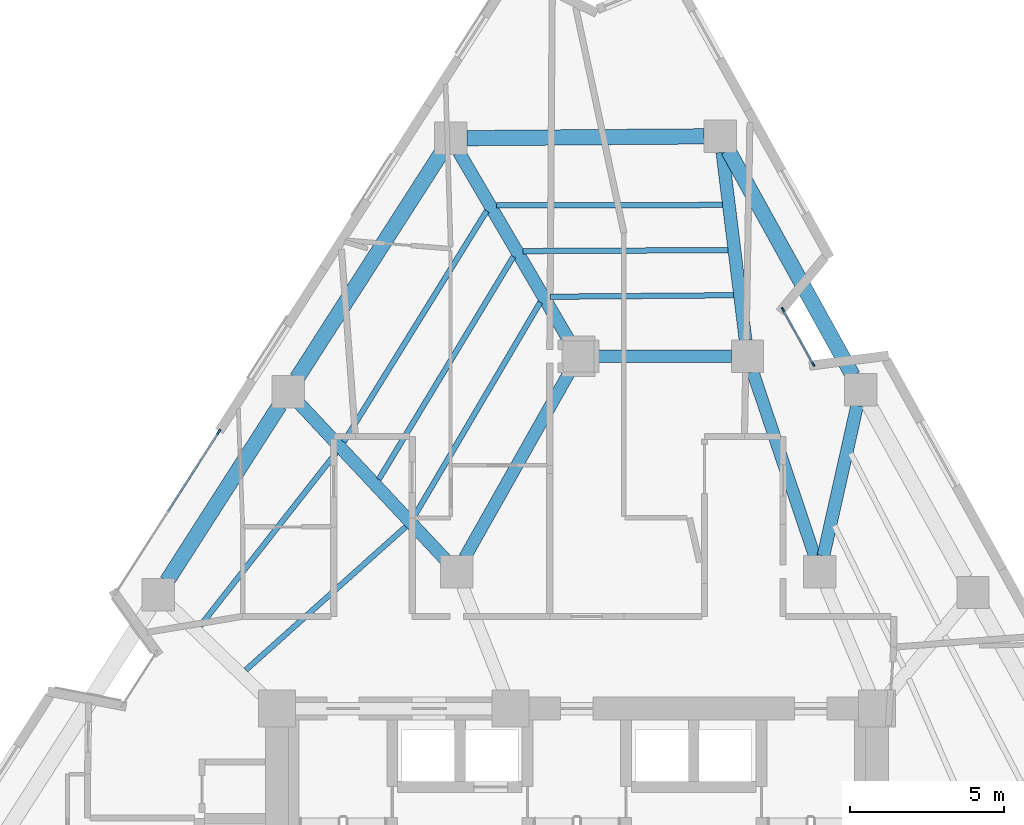
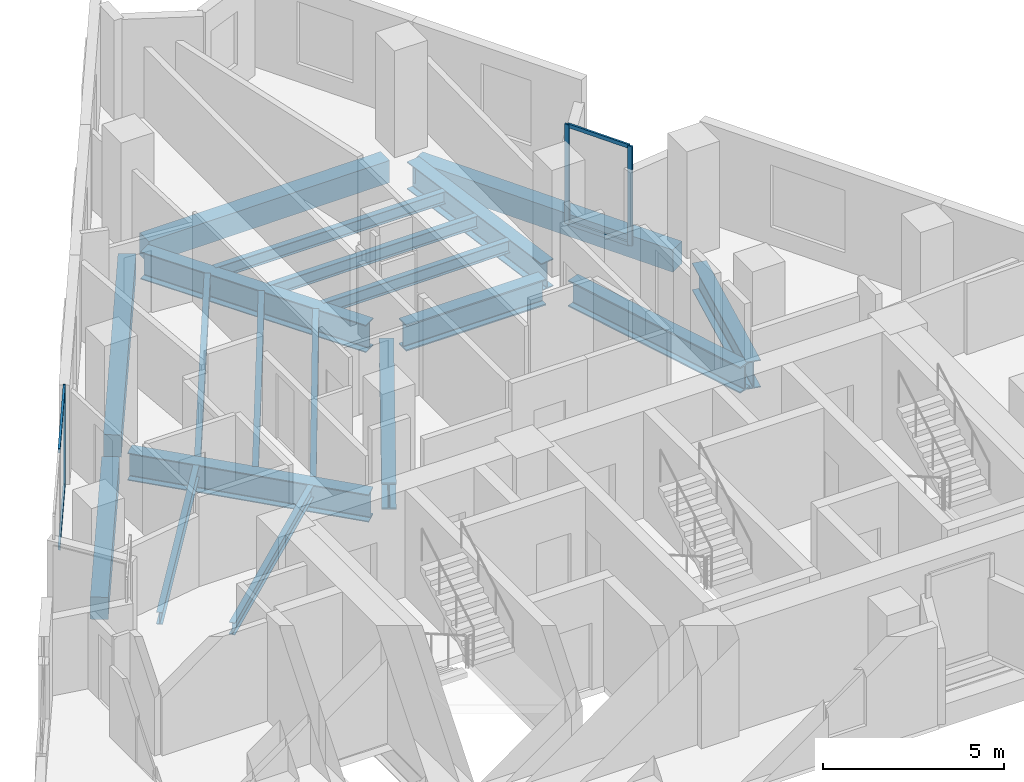
# One storey, part 3 of 11: 19 beams, 7 members, 2 elements without a shape of their own.
"""IFC4 building model written with IfcOpenShell, lengths in metres."""

from ifc_helpers import new_model, si_unit, direction, frame, origin, origin_2d, place, context, subcontext, project, spatial, rectangle, i_section, extrude, material, layer, layer_set, material_profile, profile_set, type_object, element, aggregate, save


model = new_model("IFC4")

# Units and contexts
model_context = context("Model", 3, precision=1e-05, world=origin(), true_north=direction((0.0, 1.0)))
body_context = subcontext(model_context, "Body", "Model", "MODEL_VIEW")
ifc_project = project(units=[si_unit("LENGTHUNIT", "METRE"), si_unit("AREAUNIT", "SQUARE_METRE"), si_unit("VOLUMEUNIT", "CUBIC_METRE"), si_unit("PLANEANGLEUNIT", "RADIAN"), si_unit("MASSUNIT", "GRAM", prefix="KILO")], contexts=[model_context])

# Site, building, storey
site_placement = place(None, origin())
site = spatial("IfcSite", under=ifc_project, at=site_placement, CompositionType="ELEMENT")
building_placement = place(site_placement, origin())
building = spatial("IfcBuilding", under=site, at=building_placement, Name="Almagre Mirador Tower", CompositionType="ELEMENT")
storey_placement = place(building_placement, frame((0.0, 0.0, 157.199951171875)))
storey = spatial("IfcBuildingStorey", under=building, at=storey_placement, Name="L40", CompositionType="ELEMENT", Elevation=157.199951171875)

# Beams
ifc_material_1 = material(Name="Steel ASTM A992 Grade 50", Category="steel")
ifc_material_profile_1 = material_profile(ifc_material_1, i_section(OverallWidth=0.178955078125, OverallDepth=0.408935546875, WebThickness=0.0087890625, FlangeThickness=0.014404296875, FilletRadius=0.013916015625, at=origin_2d()), Name="W16X45")
ifc_profile_set_1 = profile_set([ifc_material_profile_1], Name="Steel ASTM A992 Grade 50")
beam_type_1 = type_object("IfcBeamType", Name="BM-JST-W16X45", PredefinedType="JOIST", material=ifc_profile_set_1)
beam_1_placement = place(storey_placement, frame((42.032958984375, 31.121826171875, -0.454345703125), z_axis=(-0.999997444767, -0.002260632521, 0.0), x_axis=(0.002260632521, -0.999997444767, 0.0)))
element("IfcBeam", 1, at=beam_1_placement, inside=storey, type_object=beam_type_1, Name="L40 secondary floor joist PC08-PC09.1", PredefinedType="JOIST", context=body_context, shape_type="SweptSolid", body=[
    extrude(i_section(OverallWidth=0.178955078125, OverallDepth=0.408935546875, WebThickness=0.0087890625, FlangeThickness=0.014404296875, FilletRadius=0.013916015625, at=origin_2d()), origin(), (0.0, 0.0, 1.0), 7.34375),
])
beam_2_placement = place(storey_placement, frame((42.214111328125, 29.654296875, -0.454345703125), z_axis=(-0.999988103405, -0.004877811845, 0.0), x_axis=(0.004877811845, -0.999988103405, 0.0)))
element("IfcBeam", 2, at=beam_2_placement, inside=storey, type_object=beam_type_1, Name="L40 secondary floor joist PC08-PC09.2", PredefinedType="JOIST", context=body_context, shape_type="SweptSolid", body=[
    extrude(i_section(OverallWidth=0.178955078125, OverallDepth=0.408935546875, WebThickness=0.0087890625, FlangeThickness=0.014404296875, FilletRadius=0.013916015625, at=origin_2d()), origin(), (0.0, 0.0, 1.0), 6.65673828125),
])
beam_3_placement = place(storey_placement, frame((42.3955078125, 28.186279296875, -0.454345703125), z_axis=(-0.999968205338, -0.007974228113, 0.0), x_axis=(0.007974228113, -0.999968205338, 0.0)))
element("IfcBeam", 3, at=beam_3_placement, inside=storey, type_object=beam_type_1, Name="L40 secondary floor joist PC08-PC09.3", PredefinedType="JOIST", context=body_context, shape_type="SweptSolid", body=[
    extrude(i_section(OverallWidth=0.178955078125, OverallDepth=0.408935546875, WebThickness=0.0087890625, FlangeThickness=0.014404296875, FilletRadius=0.013916015625, at=origin_2d()), origin(), (0.0, 0.0, 1.0), 5.97021484375),
])
beam_4_placement = place(storey_placement, frame((34.3701171875, 30.927001953125, -0.454345703125), z_axis=(-0.526297490508, -0.850300506577, 0.0), x_axis=(0.850300506577, -0.526297490508, 0.0)))
element("IfcBeam", 4, at=beam_4_placement, inside=storey, type_object=beam_type_1, Name="L40 secondary floor joist PC09-PC10.1", PredefinedType="JOIST", context=body_context, shape_type="SweptSolid", body=[
    extrude(i_section(OverallWidth=0.178955078125, OverallDepth=0.408935546875, WebThickness=0.0087890625, FlangeThickness=0.014404296875, FilletRadius=0.013916015625, at=origin_2d()), origin(), (0.0, 0.0, 1.0), 8.828125),
])
beam_5_placement = place(storey_placement, frame((35.240234375, 29.44189453125, -0.454345703125), z_axis=(-0.5172600995, -0.855828247644, 0.0), x_axis=(0.855828247644, -0.5172600995, 0.0)))
element("IfcBeam", 5, at=beam_5_placement, inside=storey, type_object=beam_type_1, Name="L40 secondary floor joist PC09-PC10.2", PredefinedType="JOIST", context=body_context, shape_type="SweptSolid", body=[
    extrude(i_section(OverallWidth=0.178955078125, OverallDepth=0.408935546875, WebThickness=0.0087890625, FlangeThickness=0.014404296875, FilletRadius=0.013916015625, at=origin_2d()), origin(), (0.0, 0.0, 1.0), 8.4599609375),
])
beam_6_placement = place(storey_placement, frame((36.110595703125, 27.956787109375, -0.454345703125), z_axis=(-0.507370781605, -0.861727851455, 0.0), x_axis=(0.861727851455, -0.507370781605, 0.0)))
element("IfcBeam", 6, at=beam_6_placement, inside=storey, type_object=beam_type_1, Name="L40 secondary floor joist PC09-PC10.3", PredefinedType="JOIST", context=body_context, shape_type="SweptSolid", body=[
    extrude(i_section(OverallWidth=0.178955078125, OverallDepth=0.408935546875, WebThickness=0.0087890625, FlangeThickness=0.014404296875, FilletRadius=0.013916015625, at=origin_2d()), origin(), (0.0, 0.0, 1.0), 8.092529296875),
])
beam_7_placement = place(storey_placement, frame((29.484619140625, 23.078369140625, -0.454345703125), z_axis=(-0.617460619368, -0.786601794766, 0.0), x_axis=(0.786601794766, -0.617460619368, 0.0)))
element("IfcBeam", 7, at=beam_7_placement, inside=storey, type_object=beam_type_1, Name="L40 secondary floor joist PC10-PC11.1", PredefinedType="JOIST", context=body_context, shape_type="SweptSolid", body=[
    extrude(i_section(OverallWidth=0.178955078125, OverallDepth=0.408935546875, WebThickness=0.0087890625, FlangeThickness=0.014404296875, FilletRadius=0.013916015625, at=origin_2d()), origin(), (0.0, 0.0, 1.0), 7.1708984375),
])
beam_8_placement = place(storey_placement, frame((31.742919921875, 20.66357421875, -0.454345703125), z_axis=(-0.744984176827, -0.66708213608, 0.0), x_axis=(0.66708213608, -0.744984176827, 0.0)))
element("IfcBeam", 8, at=beam_8_placement, inside=storey, type_object=beam_type_1, Name="L40 secondary floor joist PC10-PC11.3", PredefinedType="JOIST", context=body_context, shape_type="SweptSolid", body=[
    extrude(i_section(OverallWidth=0.178955078125, OverallDepth=0.408935546875, WebThickness=0.0087890625, FlangeThickness=0.014404296875, FilletRadius=0.013916015625, at=origin_2d()), origin(), (0.0, 0.0, 1.0), 6.979248046875),
])
ifc_material_2 = material(Name="Precast concrete C50/60", Category="concrete")
ifc_material_profile_2 = material_profile(ifc_material_2, rectangle(XDim=0.5, YDim=0.75, at=origin_2d()), Name="RC500X750")
ifc_profile_set_2 = profile_set([ifc_material_profile_2], Name="Precast concrete C50/60")
beam_type_2 = type_object("IfcBeamType", Name="BM-SPN-RC500X750", PredefinedType="SPANDREL", material=ifc_profile_set_2)
beam_9_placement = place(storey_placement, frame((46.271728515625, 25.574462890625, -0.625), z_axis=(-0.484205406649, 0.874954355479, 0.0), x_axis=(-0.874954355479, -0.484205406649, 0.0)))
element("IfcBeam", 9, at=beam_9_placement, inside=storey, type_object=beam_type_2, Name="L40 perimeter spandrel beam PC07-PC08", PredefinedType="SPANDREL", context=body_context, shape_type="SweptSolid", body=[
    extrude(rectangle(XDim=0.5, YDim=0.75, at=origin_2d()), origin(), (0.0, 0.0, 1.0), 8.367431640625),
])
beam_10_placement = place(storey_placement, frame((41.44091796875, 33.35107421875, -0.625), z_axis=(-0.999971631183, -0.007532385372, 0.0), x_axis=(0.007532385372, -0.999971631183, 0.0)))
element("IfcBeam", 10, at=beam_10_placement, inside=storey, type_object=beam_type_2, Name="L40 perimeter spandrel beam PC08-PC09", PredefinedType="SPANDREL", context=body_context, shape_type="SweptSolid", body=[
    extrude(rectangle(XDim=0.5, YDim=0.75, at=origin_2d()), origin(), (0.0, 0.0, 1.0), 7.714111328125),
])
beam_11_placement = place(storey_placement, frame((32.918701171875, 32.846923828125, -0.625), z_axis=(-0.539525433851, -0.841969302426, 0.0), x_axis=(0.841969302426, -0.539525433851, 0.0)))
element("IfcBeam", 11, at=beam_11_placement, inside=storey, type_object=beam_type_2, Name="L40 perimeter spandrel beam PC09-PC10", PredefinedType="SPANDREL", context=body_context, shape_type="SweptSolid", body=[
    extrude(rectangle(XDim=0.5, YDim=0.75, at=origin_2d()), origin(), (0.0, 0.0, 1.0), 8.736572265625),
])
beam_12_placement = place(storey_placement, frame((27.638916015625, 24.60693359375, -0.625), z_axis=(-0.539533906924, -0.841963872906, 0.0), x_axis=(0.841963872906, -0.539533906924, 0.0)))
element("IfcBeam", 12, at=beam_12_placement, inside=storey, type_object=beam_type_2, Name="L40 perimeter spandrel beam PC10-PC11", PredefinedType="SPANDREL", context=body_context, shape_type="SweptSolid", body=[
    extrude(rectangle(XDim=0.5, YDim=0.75, at=origin_2d()), origin(), (0.0, 0.0, 1.0), 6.779296875),
])
ifc_material_3 = material(Name="Steel ASTM A992 Grade 50", Category="steel")
ifc_material_profile_3 = material_profile(ifc_material_3, i_section(OverallWidth=0.404052734375, OverallDepth=0.884033203125, WebThickness=0.0244140625, FlangeThickness=0.0439453125, FilletRadius=0.02490234375, at=origin_2d()), Name="W33X291")
ifc_profile_set_3 = profile_set([ifc_material_profile_3], Name="Steel ASTM A992 Grade 50")
beam_type_3 = type_object("IfcBeamType", Name="BM-STL-W33X291", PredefinedType="BEAM", material=ifc_profile_set_3)
beam_13_placement = place(storey_placement, frame((37.875, 26.199951171875, -0.69189453125), z_axis=(1.0, 0.0, 0.0), x_axis=(0.0, 1.0, 0.0)))
element("IfcBeam", 13, at=beam_13_placement, inside=storey, type_object=beam_type_3, Name="L40 core tie girder MC7-MC6", PredefinedType="BEAM", context=body_context, shape_type="SweptSolid", body=[
    extrude(i_section(OverallWidth=0.404052734375, OverallDepth=0.884033203125, WebThickness=0.0244140625, FlangeThickness=0.0439453125, FilletRadius=0.02490234375, at=origin_2d()), origin(), (0.0, 0.0, 1.0), 4.449951171875),
])
beam_14_placement = place(storey_placement, frame((43.01708984375, 25.702392578125, -0.69189453125), z_axis=(0.318262189587, -0.948002731367, 0.0), x_axis=(0.948002731367, 0.318262189587, 0.0)))
element("IfcBeam", 14, at=beam_14_placement, inside=storey, type_object=beam_type_3, Name="L40 core tie girder MC6-MC5", PredefinedType="BEAM", context=body_context, shape_type="SweptSolid", body=[
    extrude(i_section(OverallWidth=0.404052734375, OverallDepth=0.884033203125, WebThickness=0.0244140625, FlangeThickness=0.0439453125, FilletRadius=0.02490234375, at=origin_2d()), origin(), (0.0, 0.0, 1.0), 6.333984375),
])
beam_15_placement = place(storey_placement, frame((37.092041015625, 25.742919921875, -0.69189453125), z_axis=(-0.491443510044, -0.870909453638, 0.0), x_axis=(0.870909453638, -0.491443510044, 0.0)))
element("IfcBeam", 15, at=beam_15_placement, inside=storey, type_object=beam_type_3, Name="L40 core tie girder MC7-MC8", PredefinedType="BEAM", context=body_context, shape_type="SweptSolid", body=[
    extrude(i_section(OverallWidth=0.404052734375, OverallDepth=0.884033203125, WebThickness=0.0244140625, FlangeThickness=0.0439453125, FilletRadius=0.02490234375, at=origin_2d()), origin(), (0.0, 0.0, 1.0), 6.98779296875),
])
ifc_material_4 = material(Name="Steel ASTM A992 Grade 50", Category="steel")
ifc_material_profile_4 = material_profile(ifc_material_4, i_section(OverallWidth=0.41796875, OverallDepth=0.927001953125, WebThickness=0.019287109375, FlangeThickness=0.031982421875, FilletRadius=0.028076171875, at=origin_2d()), Name="W36X231")
ifc_profile_set_4 = profile_set([ifc_material_profile_4], Name="Steel ASTM A992 Grade 50")
beam_type_4 = type_object("IfcBeamType", Name="BM-STL-W36X231", PredefinedType="BEAM", material=ifc_profile_set_4)
beam_16_placement = place(storey_placement, frame((46.4111328125, 24.602783203125, -0.71337890625), z_axis=(-0.21877143467, -0.975776131791, 0.0), x_axis=(0.975776131791, -0.21877143467, 0.0)))
element("IfcBeam", 16, at=beam_16_placement, inside=storey, type_object=beam_type_4, Name="L40 radial floor girder PC07-MC5", PredefinedType="BEAM", context=body_context, shape_type="SweptSolid", body=[
    extrude(i_section(OverallWidth=0.41796875, OverallDepth=0.927001953125, WebThickness=0.019287109375, FlangeThickness=0.031982421875, FilletRadius=0.028076171875, at=origin_2d()), origin(), (0.0, 0.0, 1.0), 5.01171875),
])
beam_17_placement = place(storey_placement, frame((42.030517578125, 32.833984375, -0.71337890625), z_axis=(0.122595496619, -0.99245672158, 0.0), x_axis=(0.99245672158, 0.122595496619, 0.0)))
element("IfcBeam", 17, at=beam_17_placement, inside=storey, type_object=beam_type_4, Name="L40 radial floor girder PC08-MC6", PredefinedType="BEAM", context=body_context, shape_type="SweptSolid", body=[
    extrude(i_section(OverallWidth=0.41796875, OverallDepth=0.927001953125, WebThickness=0.019287109375, FlangeThickness=0.031982421875, FilletRadius=0.028076171875, at=origin_2d()), origin(), (0.0, 0.0, 1.0), 6.159423828125),
])
beam_18_placement = place(storey_placement, frame((33.467041015625, 32.8359375, -0.71337890625), z_axis=(0.50504237399, -0.863094548977, 0.0), x_axis=(0.863094548977, 0.50504237399, 0.0)))
element("IfcBeam", 18, at=beam_18_placement, inside=storey, type_object=beam_type_4, Name="L40 radial floor girder PC09-MC7", PredefinedType="BEAM", context=body_context, shape_type="SweptSolid", body=[
    extrude(i_section(OverallWidth=0.41796875, OverallDepth=0.927001953125, WebThickness=0.019287109375, FlangeThickness=0.031982421875, FilletRadius=0.028076171875, at=origin_2d()), origin(), (0.0, 0.0, 1.0), 7.16357421875),
])
beam_19_placement = place(storey_placement, frame((28.281005859375, 24.665771484375, -0.71337890625), z_axis=(0.683570174234, -0.729884797004, 0.0), x_axis=(0.729884797004, 0.683570174234, 0.0)))
element("IfcBeam", 19, at=beam_19_placement, inside=storey, type_object=beam_type_4, Name="L40 radial floor girder PC10-MC8", PredefinedType="BEAM", context=body_context, shape_type="SweptSolid", body=[
    extrude(i_section(OverallWidth=0.41796875, OverallDepth=0.927001953125, WebThickness=0.019287109375, FlangeThickness=0.031982421875, FilletRadius=0.028076171875, at=origin_2d()), origin(), (0.0, 0.0, 1.0), 6.96337890625),
])

# Curtain wall, members
ifc_material_5 = material(Name="Black anodized aluminium", Category="aluminium")
ifc_layer_1 = layer(ifc_material_5, 0.169921875)
ifc_layer_set_1 = layer_set([ifc_layer_1], Name="Black anodized aluminium")
curtain_wall_type_1 = type_object("IfcCurtainWallType", Name="CW-CRS-SYS", PredefinedType="NOTDEFINED", material=ifc_layer_set_1)
curtain_wall_1_placement = place(storey_placement, origin())
curtain_wall_1 = element("IfcCurtainWall", 20, at=curtain_wall_1_placement, inside=storey, type_object=curtain_wall_type_1, Name="L40 vertical crease curtain wall 03", PredefinedType="NOTDEFINED")
ifc_material_6 = material(Name="Black anodized aluminium", Category="aluminium")
ifc_material_profile_5 = material_profile(ifc_material_6, rectangle(XDim=0.06005859375, YDim=0.14990234375, at=origin_2d()), Name="CWM60X150")
ifc_profile_set_5 = profile_set([ifc_material_profile_5], Name="Black anodized aluminium")
member_type_1 = type_object("IfcMemberType", Name="MBR-CWM60X150", PredefinedType="MULLION", material=ifc_profile_set_5)
member_1_placement = place(storey_placement, frame((43.99951171875, 27.71875, 0.0), z_axis=(0.0, 0.0, 1.0), x_axis=(0.874878722341, 0.48434204979, 0.0)))
member_1 = element("IfcMember", 21, at=member_1_placement, type_object=member_type_1, Name="CW-4 mullion 1", PredefinedType="MULLION", context=body_context, shape_type="SweptSolid", body=[
    extrude(rectangle(XDim=0.06005859375, YDim=0.14990234375, at=origin_2d()), origin(), (0.0, 0.0, 1.0), 3.35009765625),
])
member_2_placement = place(storey_placement, frame((44.982421875, 25.943359375, 0.0), z_axis=(0.0, 0.0, 1.0), x_axis=(0.874878722341, 0.48434204979, 0.0)))
member_2 = element("IfcMember", 22, at=member_2_placement, type_object=member_type_1, Name="CW-4 mullion 2", PredefinedType="MULLION", context=body_context, shape_type="SweptSolid", body=[
    extrude(rectangle(XDim=0.06005859375, YDim=0.14990234375, at=origin_2d()), origin(), (0.0, 0.0, 1.0), 3.35009765625),
])

# Curtain wall, member
ifc_material_7 = material(Name="Black anodized aluminium", Category="aluminium")
ifc_layer_2 = layer(ifc_material_7, 0.199951171875)
ifc_layer_set_2 = layer_set([ifc_layer_2], Name="Black anodized aluminium")
curtain_wall_type_2 = type_object("IfcCurtainWallType", Name="CW-RES-H-SYS", PredefinedType="NOTDEFINED", material=ifc_layer_set_2)
curtain_wall_2_placement = place(storey_placement, origin())
curtain_wall_2 = element("IfcCurtainWall", 23, at=curtain_wall_2_placement, inside=storey, type_object=curtain_wall_type_2, Name="L40 curtain wall run 02", PredefinedType="NOTDEFINED")
ifc_material_8 = material(Name="Black anodized aluminium", Category="aluminium")
ifc_material_profile_6 = material_profile(ifc_material_8, rectangle(XDim=0.06494140625, YDim=0.179931640625, at=origin_2d()), Name="CWM65X180")
ifc_profile_set_6 = profile_set([ifc_material_profile_6], Name="Black anodized aluminium")
member_type_2 = type_object("IfcMemberType", Name="MBR-CWM65X180", PredefinedType="MULLION", material=ifc_profile_set_6)
member_3_placement = place(storey_placement, frame((25.661865234375, 23.744384765625, 0.0), z_axis=(0.0, 0.0, 1.0), x_axis=(-0.841981168669, 0.539506915253, 0.0)))
member_3 = element("IfcMember", 24, at=member_3_placement, type_object=member_type_2, Name="CW-3 mullion 3", PredefinedType="MULLION", context=body_context, shape_type="SweptSolid", body=[
    extrude(rectangle(XDim=0.06494140625, YDim=0.179931640625, at=origin_2d()), origin(), (0.0, 0.0, 1.0), 3.35009765625),
])

# Member
ifc_material_9 = material(Name="Black anodized aluminium", Category="aluminium")
ifc_material_profile_7 = material_profile(ifc_material_9, rectangle(XDim=0.06005859375, YDim=0.1298828125, at=origin_2d()), Name="CWT60X130")
ifc_profile_set_7 = profile_set([ifc_material_profile_7], Name="Black anodized aluminium")
member_type_3 = type_object("IfcMemberType", Name="MBR-CWT60X130", PredefinedType="USERDEFINED", material=ifc_profile_set_7)
member_4_placement = place(storey_placement, frame((44.01416015625, 27.692626953125, 0.030029296875), z_axis=(0.484305716998, -0.874898835571, 0.0), x_axis=(0.874898835571, 0.484305716998, 0.0)))
member_4 = element("IfcMember", 25, at=member_4_placement, type_object=member_type_3, Name="CW-4 transom 1.1", ObjectType="TRANSOM", PredefinedType="USERDEFINED", context=body_context, shape_type="SweptSolid", body=[
    extrude(rectangle(XDim=0.06005859375, YDim=0.1298828125, at=origin_2d()), origin(), (0.0, 0.0, 1.0), 1.969482421875),
])

member_5_placement = place(storey_placement, frame((44.01416015625, 27.692626953125, 3.320068359375), z_axis=(0.484305716998, -0.874898835571, 0.0), x_axis=(0.874898835571, 0.484305716998, 0.0)))
member_5 = element("IfcMember", 26, at=member_5_placement, type_object=member_type_3, Name="CW-4 transom 1.2", ObjectType="TRANSOM", PredefinedType="USERDEFINED", context=body_context, shape_type="SweptSolid", body=[
    extrude(rectangle(XDim=0.06005859375, YDim=0.1298828125, at=origin_2d()), origin(), (0.0, 0.0, 1.0), 1.969482421875),
])

aggregate(curtain_wall_1, [member_1, member_2, member_4, member_5])

ifc_material_10 = material(Name="Black anodized aluminium", Category="aluminium")
ifc_material_profile_8 = material_profile(ifc_material_10, rectangle(XDim=0.06494140625, YDim=0.14990234375, at=origin_2d()), Name="CWT65X150")
ifc_profile_set_8 = profile_set([ifc_material_profile_8], Name="Black anodized aluminium")
member_type_4 = type_object("IfcMemberType", Name="MBR-CWT65X150", PredefinedType="USERDEFINED", material=ifc_profile_set_8)
member_6_placement = place(storey_placement, frame((24.003173828125, 21.15576171875, 0.032470703125), z_axis=(0.539552347073, 0.841952056098, 0.0), x_axis=(-0.841952056098, 0.539552347073, 0.0)))
member_6 = element("IfcMember", 27, at=member_6_placement, type_object=member_type_4, Name="CW-3 transom 2.1", ObjectType="TRANSOM", PredefinedType="USERDEFINED", context=body_context, shape_type="SweptSolid", body=[
    extrude(rectangle(XDim=0.06494140625, YDim=0.14990234375, at=origin_2d()), origin(), (0.0, 0.0, 1.0), 3.0419921875),
])

member_7_placement = place(storey_placement, frame((24.003173828125, 21.15576171875, 3.317626953125), z_axis=(0.539552347073, 0.841952056098, 0.0), x_axis=(-0.841952056098, 0.539552347073, 0.0)))
member_7 = element("IfcMember", 28, at=member_7_placement, type_object=member_type_4, Name="CW-3 transom 2.2", ObjectType="TRANSOM", PredefinedType="USERDEFINED", context=body_context, shape_type="SweptSolid", body=[
    extrude(rectangle(XDim=0.06494140625, YDim=0.14990234375, at=origin_2d()), origin(), (0.0, 0.0, 1.0), 3.0419921875),
])

aggregate(curtain_wall_2, [member_3, member_6, member_7])

save(model, "model.ifc")
